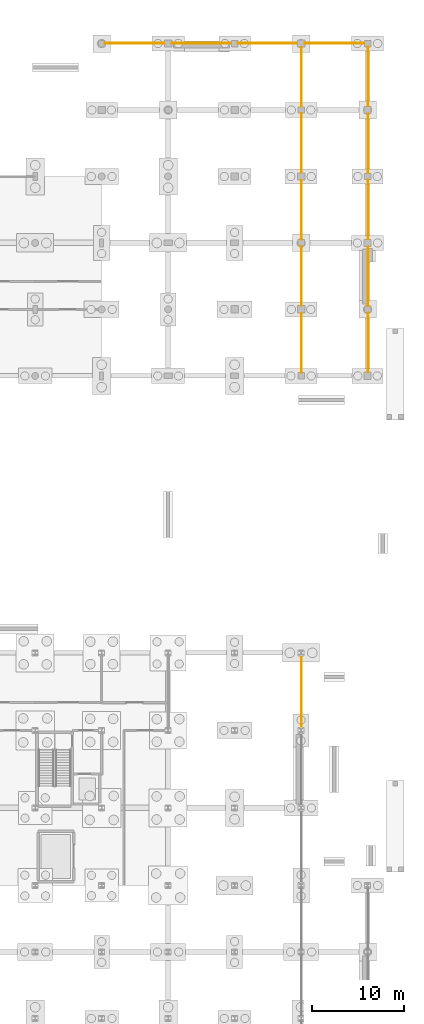
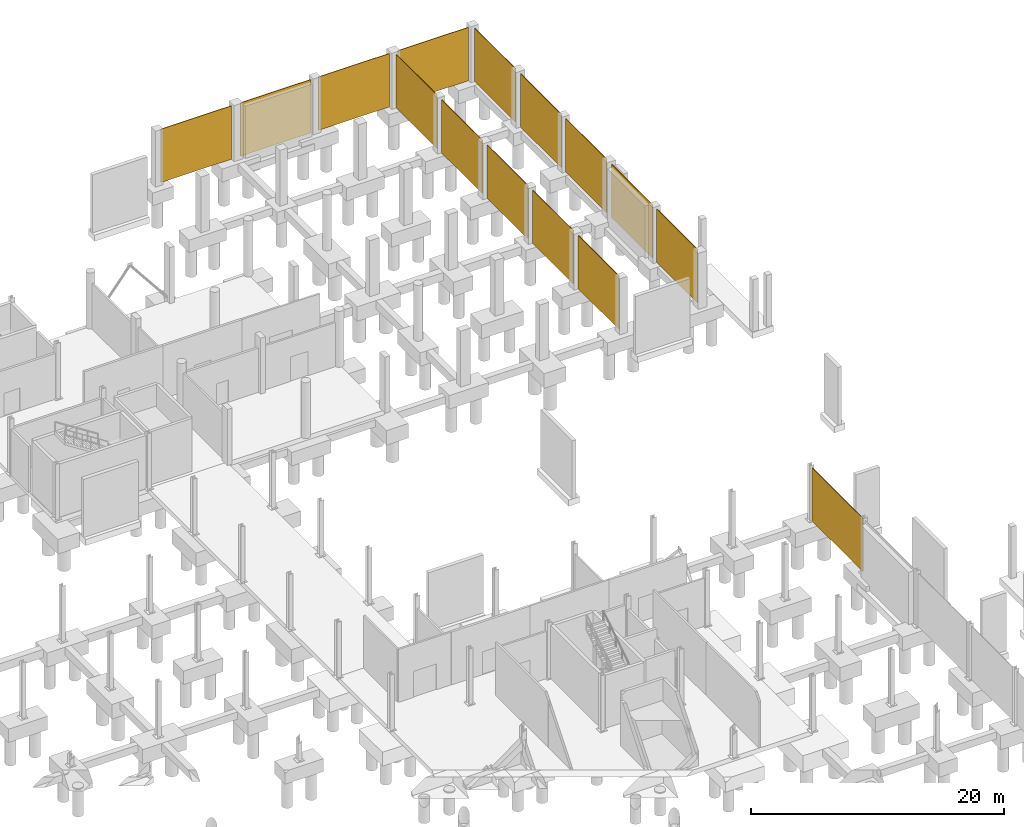
# One storey, part 60 of 61: 15 coverings.
"""IFC4 building model written with IfcOpenShell, lengths in metres."""

from ifc_helpers import new_model, si_unit, direction, frame, origin, place, context, subcontext, project, spatial, polyline, outline, extrude, material, layer, layer_set, type_object, element, save


model = new_model("IFC4")

# Units and contexts
model_context = context("Model", 3, precision=1e-05, world=origin(), true_north=direction((0.0, 1.0)))
body_context = subcontext(model_context, "Body", "Model", "MODEL_VIEW")
ifc_project = project(units=[si_unit("LENGTHUNIT", "METRE"), si_unit("AREAUNIT", "SQUARE_METRE"), si_unit("VOLUMEUNIT", "CUBIC_METRE"), si_unit("PLANEANGLEUNIT", "RADIAN"), si_unit("MASSUNIT", "GRAM", prefix="KILO")], contexts=[model_context])

# Site, building, storey
site_placement = place(None, origin())
site = spatial("IfcSite", under=ifc_project, at=site_placement, CompositionType="ELEMENT")
building_placement = place(site_placement, origin())
building = spatial("IfcBuilding", under=site, at=building_placement, Name="Calvrana Isthmian Art Gallery", CompositionType="ELEMENT")
storey_placement = place(building_placement, frame((0.0, 0.0, -5.39990234375)))
storey = spatial("IfcBuildingStorey", under=building, at=storey_placement, Name="B1", CompositionType="ELEMENT", Elevation=-5.39990234375)

# Coverings
ifc_material = material(Name="Pale Isthmian limestone", Category="masonry")
ifc_layer = layer(ifc_material, 0.06005859375, Name="Pale Isthmian limestone")
ifc_layer_set = layer_set([ifc_layer], Name="Pale Isthmian limestone")
covering_type = type_object("IfcCoveringType", Name="COV-PLINTH-LIME", PredefinedType="CLADDING", material=ifc_layer_set)
covering_1_placement = place(storey_placement, origin())
element("IfcCovering", 1, at=covering_1_placement, inside=storey, type_object=covering_type, Name="Limestone basement plinth panel X-023", PredefinedType="CLADDING", context=body_context, shape_type="SweptSolid", body=[
    extrude(outline(polyline([(134.748046875, 112.800048828125), (141.201904296875, 112.800048828125), (141.201904296875, 112.860107421875), (134.748046875, 112.860107421875), (134.748046875, 112.800048828125)])), origin(), (0.0, 0.0, 1.0), 5.14990234375),
])
covering_2_placement = place(storey_placement, origin())
element("IfcCovering", 2, at=covering_2_placement, inside=storey, type_object=covering_type, Name="Limestone basement plinth panel X-024", PredefinedType="CLADDING", context=body_context, shape_type="SweptSolid", body=[
    extrude(outline(polyline([(141.998046875, 112.800048828125), (148.451904296875, 112.800048828125), (148.451904296875, 112.860107421875), (141.998046875, 112.860107421875), (141.998046875, 112.800048828125)])), origin(), (0.0, 0.0, 1.0), 5.14990234375),
])
covering_3_placement = place(storey_placement, origin())
element("IfcCovering", 3, at=covering_3_placement, inside=storey, type_object=covering_type, Name="Limestone basement plinth panel X-025", PredefinedType="CLADDING", context=body_context, shape_type="SweptSolid", body=[
    extrude(outline(polyline([(149.14794921875, 112.800048828125), (155.60205078125, 112.800048828125), (155.60205078125, 112.860107421875), (149.14794921875, 112.860107421875), (149.14794921875, 112.800048828125)])), origin(), (0.0, 0.0, 1.0), 5.14990234375),
])
covering_4_placement = place(storey_placement, origin())
element("IfcCovering", 4, at=covering_4_placement, inside=storey, type_object=covering_type, Name="Limestone basement plinth panel X-026", PredefinedType="CLADDING", context=body_context, shape_type="SweptSolid", body=[
    extrude(outline(polyline([(156.39794921875, 112.800048828125), (162.85205078125, 112.800048828125), (162.85205078125, 112.860107421875), (156.39794921875, 112.860107421875), (156.39794921875, 112.800048828125)])), origin(), (0.0, 0.0, 1.0), 5.14990234375),
])
covering_5_placement = place(storey_placement, origin())
element("IfcCovering", 5, at=covering_5_placement, inside=storey, type_object=covering_type, Name="Limestone basement plinth panel Y-041", PredefinedType="CLADDING", context=body_context, shape_type="SweptSolid", body=[
    extrude(outline(polyline([(156.0, 38.5859375), (156.06005859375, 38.5859375), (156.06005859375, 46.611572265625), (156.0, 46.611572265625), (156.0, 38.5859375)])), origin(), (0.0, 0.0, 1.0), 5.14990234375),
])
covering_6_placement = place(storey_placement, origin())
element("IfcCovering", 6, at=covering_6_placement, inside=storey, type_object=covering_type, Name="Limestone basement plinth panel Y-042", PredefinedType="CLADDING", context=body_context, shape_type="SweptSolid", body=[
    extrude(outline(polyline([(156.0, 77.14794921875), (156.06005859375, 77.14794921875), (156.06005859375, 83.60205078125), (156.0, 83.60205078125), (156.0, 77.14794921875)])), origin(), (0.0, 0.0, 1.0), 5.14990234375),
])
covering_7_placement = place(storey_placement, origin())
element("IfcCovering", 7, at=covering_7_placement, inside=storey, type_object=covering_type, Name="Limestone basement plinth panel Y-043", PredefinedType="CLADDING", context=body_context, shape_type="SweptSolid", body=[
    extrude(outline(polyline([(156.0, 84.39794921875), (156.06005859375, 84.39794921875), (156.06005859375, 90.85205078125), (156.0, 90.85205078125), (156.0, 84.39794921875)])), origin(), (0.0, 0.0, 1.0), 5.14990234375),
])
covering_8_placement = place(storey_placement, origin())
element("IfcCovering", 8, at=covering_8_placement, inside=storey, type_object=covering_type, Name="Limestone basement plinth panel Y-044", PredefinedType="CLADDING", context=body_context, shape_type="SweptSolid", body=[
    extrude(outline(polyline([(156.0, 91.548095703125), (156.06005859375, 91.548095703125), (156.06005859375, 98.001953125), (156.0, 98.001953125), (156.0, 91.548095703125)])), origin(), (0.0, 0.0, 1.0), 5.14990234375),
])
covering_9_placement = place(storey_placement, origin())
element("IfcCovering", 9, at=covering_9_placement, inside=storey, type_object=covering_type, Name="Limestone basement plinth panel Y-045", PredefinedType="CLADDING", context=body_context, shape_type="SweptSolid", body=[
    extrude(outline(polyline([(156.0, 98.798095703125), (156.06005859375, 98.798095703125), (156.06005859375, 105.251953125), (156.0, 105.251953125), (156.0, 98.798095703125)])), origin(), (0.0, 0.0, 1.0), 5.14990234375),
])
covering_10_placement = place(storey_placement, origin())
element("IfcCovering", 10, at=covering_10_placement, inside=storey, type_object=covering_type, Name="Limestone basement plinth panel Y-046", PredefinedType="CLADDING", context=body_context, shape_type="SweptSolid", body=[
    extrude(outline(polyline([(156.0, 105.947998046875), (156.06005859375, 105.947998046875), (156.06005859375, 112.402099609375), (156.0, 112.402099609375), (156.0, 105.947998046875)])), origin(), (0.0, 0.0, 1.0), 5.14990234375),
])
covering_11_placement = place(storey_placement, origin())
element("IfcCovering", 11, at=covering_11_placement, inside=storey, type_object=covering_type, Name="Limestone basement plinth panel Y-050", PredefinedType="CLADDING", context=body_context, shape_type="SweptSolid", body=[
    extrude(outline(polyline([(163.199951171875, 77.197998046875), (163.260009765625, 77.197998046875), (163.260009765625, 83.652099609375), (163.199951171875, 83.652099609375), (163.199951171875, 77.197998046875)])), origin(), (0.0, 0.0, 1.0), 5.14990234375),
])
covering_12_placement = place(storey_placement, origin())
element("IfcCovering", 12, at=covering_12_placement, inside=storey, type_object=covering_type, Name="Limestone basement plinth panel Y-051", PredefinedType="CLADDING", context=body_context, shape_type="SweptSolid", body=[
    extrude(outline(polyline([(163.199951171875, 84.347900390625), (163.260009765625, 84.347900390625), (163.260009765625, 90.802001953125), (163.199951171875, 90.802001953125), (163.199951171875, 84.347900390625)])), origin(), (0.0, 0.0, 1.0), 5.14990234375),
])
covering_13_placement = place(storey_placement, origin())
element("IfcCovering", 13, at=covering_13_placement, inside=storey, type_object=covering_type, Name="Limestone basement plinth panel Y-052", PredefinedType="CLADDING", context=body_context, shape_type="SweptSolid", body=[
    extrude(outline(polyline([(163.199951171875, 91.597900390625), (163.260009765625, 91.597900390625), (163.260009765625, 98.052001953125), (163.199951171875, 98.052001953125), (163.199951171875, 91.597900390625)])), origin(), (0.0, 0.0, 1.0), 5.14990234375),
])
covering_14_placement = place(storey_placement, origin())
element("IfcCovering", 14, at=covering_14_placement, inside=storey, type_object=covering_type, Name="Limestone basement plinth panel Y-053", PredefinedType="CLADDING", context=body_context, shape_type="SweptSolid", body=[
    extrude(outline(polyline([(163.199951171875, 98.748046875), (163.260009765625, 98.748046875), (163.260009765625, 105.201904296875), (163.199951171875, 105.201904296875), (163.199951171875, 98.748046875)])), origin(), (0.0, 0.0, 1.0), 5.14990234375),
])
covering_15_placement = place(storey_placement, origin())
element("IfcCovering", 15, at=covering_15_placement, inside=storey, type_object=covering_type, Name="Limestone basement plinth panel Y-054", PredefinedType="CLADDING", context=body_context, shape_type="SweptSolid", body=[
    extrude(outline(polyline([(163.199951171875, 105.998046875), (163.260009765625, 105.998046875), (163.260009765625, 112.451904296875), (163.199951171875, 112.451904296875), (163.199951171875, 105.998046875)])), origin(), (0.0, 0.0, 1.0), 5.14990234375),
])

save(model, "model.ifc")
